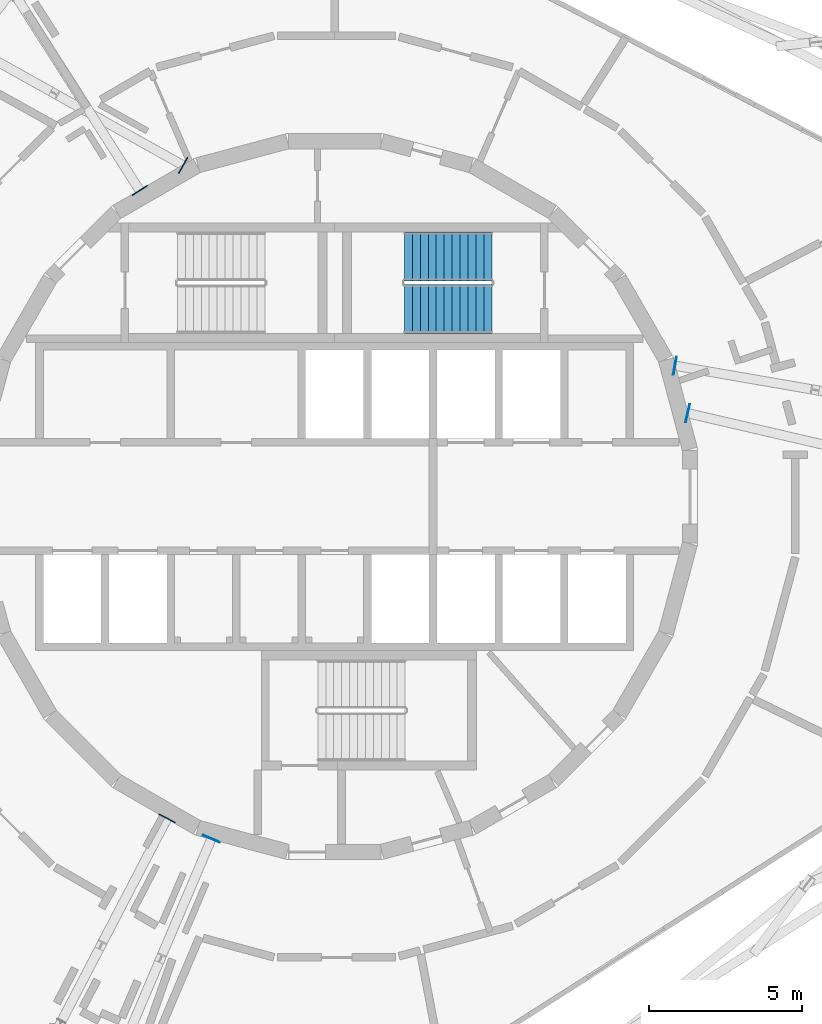
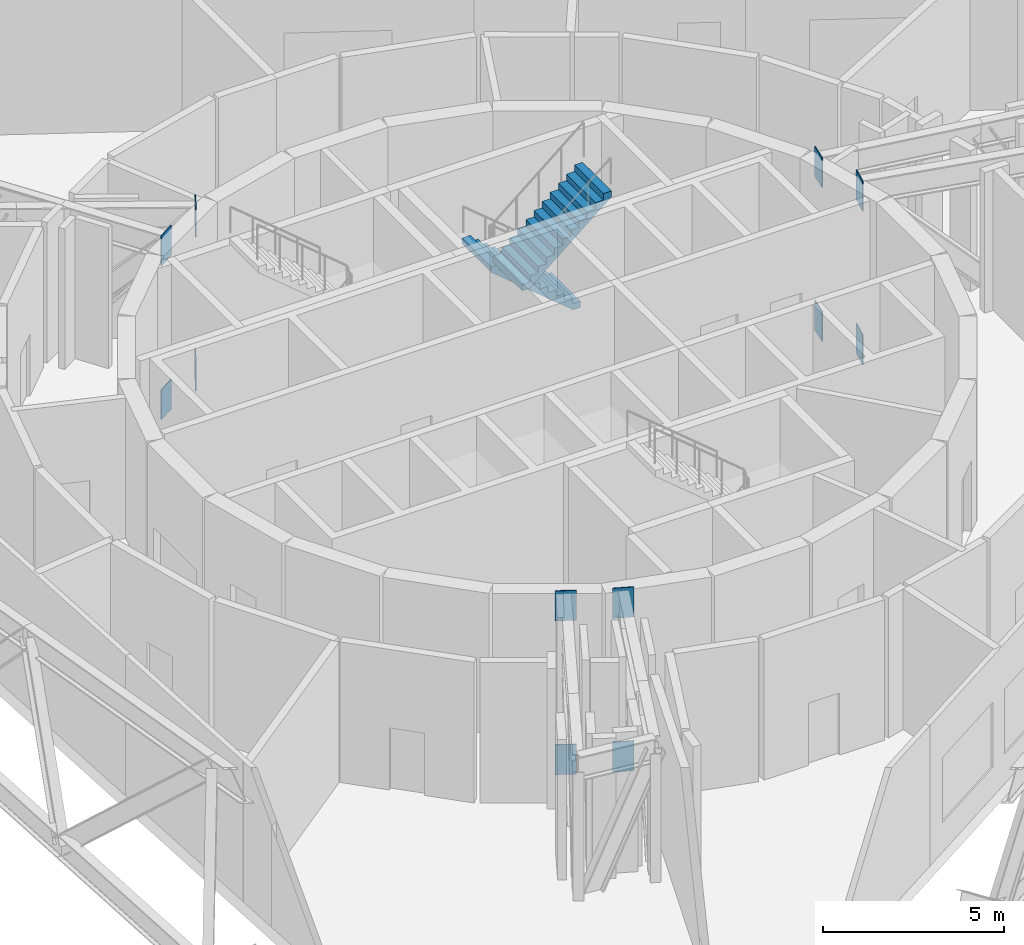
# One storey, part 11 of 12: 12 discrete accessories, 2 stair flights, 1 element without a shape of its own.
"""IFC4 building model written with IfcOpenShell, lengths in metres."""

from ifc_helpers import new_model, si_unit, direction, frame, origin, origin_2d, place, context, subcontext, project, spatial, polyline, rectangle, outline, extrude, material, layer, layer_set, type_object, element, aggregate, save


model = new_model("IFC4")

# Units and contexts
model_context = context("Model", 3, precision=1e-05, world=origin(), true_north=direction((0.0, 1.0)))
body_context = subcontext(model_context, "Body", "Model", "MODEL_VIEW")
ifc_project = project(units=[si_unit("LENGTHUNIT", "METRE"), si_unit("AREAUNIT", "SQUARE_METRE"), si_unit("VOLUMEUNIT", "CUBIC_METRE"), si_unit("PLANEANGLEUNIT", "RADIAN"), si_unit("MASSUNIT", "GRAM", prefix="KILO")], contexts=[model_context])

# Site, building, storey
site_placement = place(None, origin())
site = spatial("IfcSite", under=ifc_project, at=site_placement, CompositionType="ELEMENT")
building_placement = place(site_placement, origin())
building = spatial("IfcBuilding", under=site, at=building_placement, Name="Spindle Arch Residences", CompositionType="ELEMENT")
storey_placement = place(building_placement, frame((0.0, 0.0, 258.199951171875)))
storey = spatial("IfcBuildingStorey", under=building, at=storey_placement, Name="L66", CompositionType="ELEMENT", Elevation=258.199951171875)

# Stair, stair flights
ifc_material_1 = material(Name="Concrete C50/60", Category="concrete")
stair_type = type_object("IfcStairType", Name="Exit stair 24 risers", PredefinedType="HALF_TURN_STAIR", material=ifc_material_1)
stair_placement = place(storey_placement, origin())
stair = element("IfcStair", 1, at=stair_placement, inside=storey, type_object=stair_type, Name="L66 Exit stair ST1", PredefinedType="HALF_TURN_STAIR")
ifc_material_2 = material(Name="Concrete C50/60", Category="concrete")
stair_flight_type = type_object("IfcStairFlightType", Name="Exit stair flight", PredefinedType="STRAIGHT", material=ifc_material_2)
stair_flight_1_placement = place(storey_placement, frame((5.14990234375, 7.8701171875, 0.0), z_axis=(0.0, 0.0, 1.0), x_axis=(-1.0, 0.0, 0.0)))
stair_flight_1 = element("IfcStairFlight", 2, at=stair_flight_1_placement, type_object=stair_flight_type, Name="ST1 flight 1", NumberOfRisers=12, NumberOfTreads=11, PredefinedType="STRAIGHT", RiserHeight=0.216666667, TreadLength=0.26, context=body_context, shape_type="SweptSolid", body=[
    extrude(outline(polyline([(0.0, 0.0), (0.0, 0.216552734375), (0.260009765625, 0.216552734375), (0.260009765625, 0.433349609375), (0.52001953125, 0.433349609375), (0.52001953125, 0.64990234375), (0.780029296875, 0.64990234375), (0.780029296875, 0.86669921875), (1.0400390625, 0.86669921875), (1.0400390625, 1.083251953125), (1.300048828125, 1.083251953125), (1.300048828125, 1.300048828125), (1.56005859375, 1.300048828125), (1.56005859375, 1.5166015625), (1.820068359375, 1.5166015625), (1.820068359375, 1.7333984375), (2.080078125, 1.7333984375), (2.080078125, 1.949951171875), (2.340087890625, 1.949951171875), (2.340087890625, 2.166748046875), (2.60009765625, 2.166748046875), (2.60009765625, 2.38330078125), (2.860107421875, 2.38330078125), (2.860107421875, 2.60009765625), (2.860107421875, 2.188232421875), (0.234130859375, 0.0), (0.0, 0.0)])), frame((0.0, 0.800048828125, 0.0), z_axis=(0.0, -1.0, 0.0), x_axis=(1.0, 0.0, 0.0)), (0.0, 0.0, 1.0), 1.60009765625),
])
stair_flight_2_placement = place(storey_placement, frame((2.2900390625, 6.14990234375, 2.60009765625), z_axis=(0.0, 0.0, 1.0), x_axis=(1.0, 0.0, 0.0)))
stair_flight_2 = element("IfcStairFlight", 3, at=stair_flight_2_placement, type_object=stair_flight_type, Name="ST1 flight 2", NumberOfRisers=12, NumberOfTreads=11, PredefinedType="STRAIGHT", RiserHeight=0.216666667, TreadLength=0.26, context=body_context, shape_type="SweptSolid", body=[
    extrude(outline(polyline([(0.0, 0.0), (0.0, 0.216552734375), (0.260009765625, 0.216552734375), (0.260009765625, 0.433349609375), (0.52001953125, 0.433349609375), (0.52001953125, 0.64990234375), (0.780029296875, 0.64990234375), (0.780029296875, 0.86669921875), (1.0400390625, 0.86669921875), (1.0400390625, 1.083251953125), (1.300048828125, 1.083251953125), (1.300048828125, 1.300048828125), (1.56005859375, 1.300048828125), (1.56005859375, 1.5166015625), (1.820068359375, 1.5166015625), (1.820068359375, 1.7333984375), (2.080078125, 1.7333984375), (2.080078125, 1.949951171875), (2.340087890625, 1.949951171875), (2.340087890625, 2.166748046875), (2.60009765625, 2.166748046875), (2.60009765625, 2.38330078125), (2.860107421875, 2.38330078125), (2.860107421875, 2.60009765625), (2.860107421875, 2.188232421875), (0.234130859375, 0.0), (0.0, 0.0)])), frame((0.0, 0.800048828125, 0.0), z_axis=(0.0, -1.0, 0.0), x_axis=(1.0, 0.0, 0.0)), (0.0, 0.0, 1.0), 1.60009765625),
])
aggregate(stair, [stair_flight_1, stair_flight_2])

# Discrete accessories
ifc_material_3 = material(Name="Steel S355J2, hot-dip galvanised", Category="steel")
ifc_layer = layer(ifc_material_3, 0.030029296875)
ifc_layer_set = layer_set([ifc_layer], Name="Cast-in plate 30x600x1014")
discrete_accessory_type = type_object("IfcDiscreteAccessoryType", Name="Cast-in plate 30x600x1014", PredefinedType="ANCHORPLATE", material=ifc_layer_set)
for number, where, z_axis, x_axis, name in (
    (4, (11.5712890625, 2.731689453125, -1.36376953125), (0.0, 0.0, 1.0), (0.974136328689, -0.225961087641, 0.0), "Cast-in plate"),
    (5, (11.5712890625, 2.731689453125, 3.8359375), (0.0, 0.0, 1.0), (0.974136328689, -0.225961087641, 0.0), "Cast-in plate"),
    (6, (11.15380859375, 4.288818359375, -1.36376953125), (0.0, 0.0, 1.0), (0.985323409094, -0.170697918826, 0.0), "Cast-in plate"),
    (7, (11.15380859375, 4.288818359375, 3.8359375), (0.0, 0.0, 1.0), (0.985323409094, -0.170697918826, 0.0), "Cast-in plate"),
    (8, (-6.390380859375, 10.031005859375, -1.36376953125), (0.0, 0.0, 1.0), (-0.537301080342, 0.843390508047, 0.0), "Cast-in plate"),
    (9, (-6.390380859375, 10.031005859375, 3.8359375), (0.0, 0.0, 1.0), (-0.537301080342, 0.843390508047, 0.0), "Cast-in plate"),
    (10, (-4.967529296875, 10.85498046875, -1.36376953125), (0.0, 0.0, 1.0), (-0.872841175076, 0.488004388393, 0.0), "Cast-in plate"),
    (11, (-4.967529296875, 10.85498046875, 3.8359375), (0.0, 0.0, 1.0), (-0.872841175076, 0.488004388393, 0.0), "Cast-in plate"),
    (12, (-5.491943359375, -10.5498046875, -1.36376953125), (0.0, 0.0, 1.0), (-0.46175016136, -0.887010027274, 0.0), "Cast-in plate"),
    (13, (-5.491943359375, -10.5498046875, 3.8359375), (0.0, 0.0, 1.0), (-0.46175016136, -0.887010027274, 0.0), "Cast-in plate"),
    (14, (-4.039794921875, -11.21923828125, -1.36376953125), (0.0, 0.0, 1.0), (-0.3910219007, -0.920381373765, 0.0), "Cast-in plate"),
    (15, (-4.039794921875, -11.21923828125, 3.8359375), (0.0, 0.0, 1.0), (-0.3910219007, -0.920381373765, 0.0), "Cast-in plate"),
):
    element("IfcDiscreteAccessory", number, at=place(storey_placement, frame(where, z_axis=z_axis, x_axis=x_axis)), inside=storey, type_object=discrete_accessory_type, Name=name, PredefinedType="ANCHORPLATE", context=body_context, shape_type="SweptSolid", body=[
        extrude(rectangle(XDim=0.030029296875, YDim=0.60009765625, at=origin_2d()), origin(), (0.0, 0.0, 1.0), 1.013916015625),
    ])

save(model, "model.ifc")
